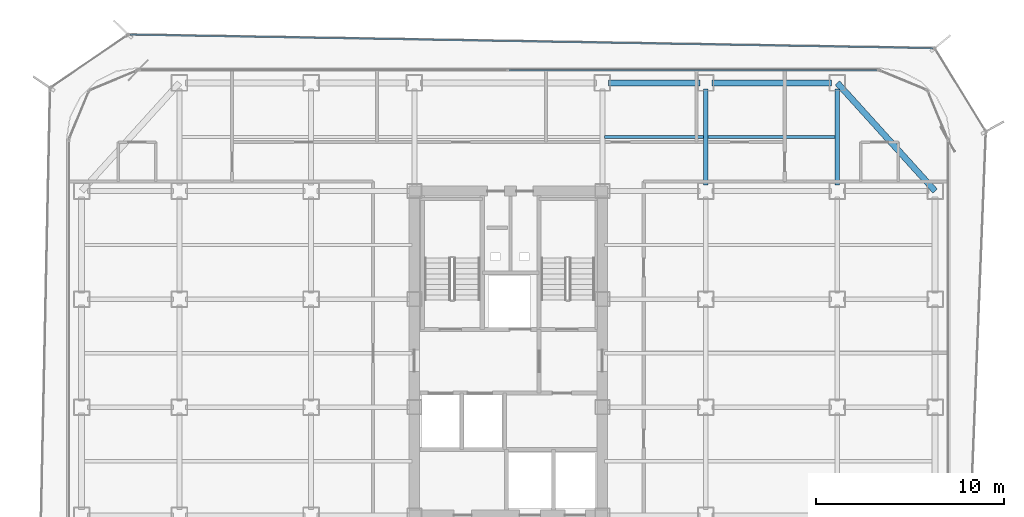
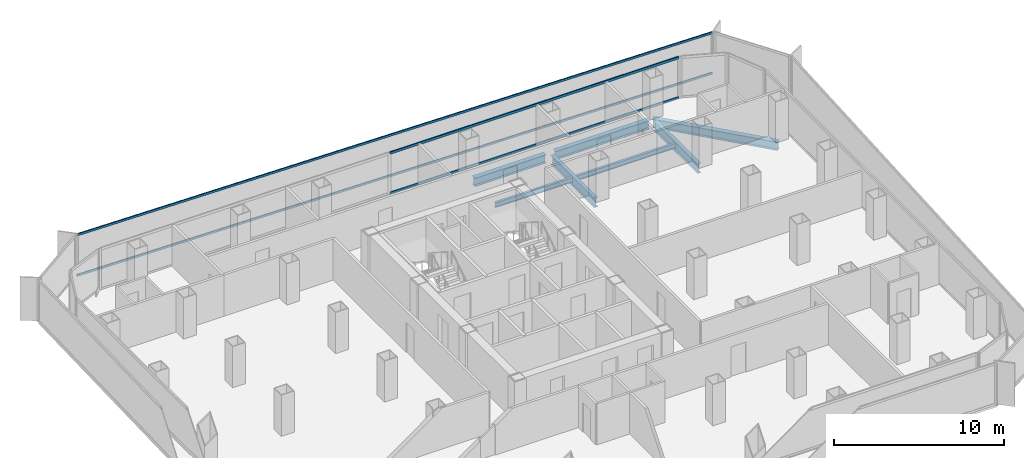
# One storey, part 13 of 21: 7 beams, 4 members, 2 elements without a shape of their own.
"""IFC4 building model written with IfcOpenShell, lengths in metres."""

from ifc_helpers import new_model, si_unit, direction, frame, origin, origin_2d, place, context, subcontext, project, spatial, hollow_rectangle, i_section, extrude, source, transform, mapped, material, layer, layer_set, material_profile, profile_set, type_object, element, aggregate, save


model = new_model("IFC4")

# Units and contexts
model_context = context("Model", 3, precision=1e-05, world=origin(), true_north=direction((0.0, 1.0)))
body_context = subcontext(model_context, "Body", "Model", "MODEL_VIEW")
ifc_project = project(units=[si_unit("LENGTHUNIT", "METRE"), si_unit("AREAUNIT", "SQUARE_METRE"), si_unit("VOLUMEUNIT", "CUBIC_METRE"), si_unit("PLANEANGLEUNIT", "RADIAN"), si_unit("MASSUNIT", "GRAM", prefix="KILO")], contexts=[model_context])

# Site, building, storey
site_placement = place(None, origin())
site = spatial("IfcSite", under=ifc_project, at=site_placement, CompositionType="ELEMENT")
building_placement = place(site_placement, origin())
building = spatial("IfcBuilding", under=site, at=building_placement, Name="Kolveth Station Tower", CompositionType="ELEMENT")
storey_placement = place(building_placement, frame((0.0, 0.0, 137.5)))
storey = spatial("IfcBuildingStorey", under=building, at=storey_placement, Name="L38", CompositionType="ELEMENT", Elevation=137.5)

# Beams
ifc_material_1 = material(Name="Steel S355", Category="steel")
ifc_material_profile_1 = material_profile(ifc_material_1, i_section(OverallWidth=0.323974609375, OverallDepth=0.611083984375, WebThickness=0.0126953125, FlangeThickness=0.01904296875, at=origin_2d()), Name="W610x155")
ifc_profile_set_1 = profile_set([ifc_material_profile_1], Name="Steel S355")
beam_type_1 = type_object("IfcBeamType", Name="Beam_SP2", PredefinedType="SPANDREL", material=ifc_profile_set_1)
shared_shape_1 = source(origin(), body_context, "Body", "SweptSolid", [
    extrude(i_section(OverallWidth=0.323974609375, OverallDepth=0.611083984375, WebThickness=0.0126953125, FlangeThickness=0.01904296875, at=origin_2d()), origin(), (0.0, 0.0, 1.0), 6.35986328125),
])
beam_1_placement = place(storey_placement, frame((34.320068359375, 34.5, -0.555419921875), z_axis=(1.0, 0.0, 0.0), x_axis=(0.0, 1.0, 0.0)))
element("IfcBeam", 1, at=beam_1_placement, inside=storey, type_object=beam_type_1, Name="L38 Perimeter Spandrel BM-L38-PN-5", PredefinedType="SPANDREL", context=body_context, shape_type="MappedRepresentation", body=[
    mapped(shared_shape_1, transform((0.0, 0.0, 0.0), x_axis=(1.0, 0.0, 0.0), y_axis=(0.0, 1.0, 0.0), z_axis=(0.0, 0.0, 1.0), scale=1.0)),
])
shared_shape_2 = source(origin(), body_context, "Body", "SweptSolid", [
    extrude(i_section(OverallWidth=0.323974609375, OverallDepth=0.611083984375, WebThickness=0.0126953125, FlangeThickness=0.01904296875, at=origin_2d()), origin(), (0.0, 0.0, 1.0), 4.85986328125),
])
beam_2_placement = place(storey_placement, frame((28.820068359375, 34.5, -0.555419921875), z_axis=(1.0, 0.0, 0.0), x_axis=(0.0, 1.0, 0.0)))
element("IfcBeam", 2, at=beam_2_placement, inside=storey, type_object=beam_type_1, Name="L38 Perimeter Spandrel BM-L38-PN-4", PredefinedType="SPANDREL", context=body_context, shape_type="MappedRepresentation", body=[
    mapped(shared_shape_2, transform((0.0, 0.0, 0.0), x_axis=(1.0, 0.0, 0.0), y_axis=(0.0, 1.0, 0.0), z_axis=(0.0, 0.0, 1.0), scale=1.0)),
])
shared_shape_3 = source(origin(), body_context, "Body", "SweptSolid", [
    extrude(i_section(OverallWidth=0.323974609375, OverallDepth=0.611083984375, WebThickness=0.0126953125, FlangeThickness=0.01904296875, at=origin_2d()), origin(), (0.0, 0.0, 1.0), 7.75244140625),
])
beam_3_placement = place(storey_placement, frame((46.199951171875, 28.75, -0.555419921875), z_axis=(-0.670740965555, 0.74169168603, 0.0), x_axis=(-0.74169168603, -0.670740965555, 0.0)))
element("IfcBeam", 3, at=beam_3_placement, inside=storey, type_object=beam_type_1, Name="L38 Corner Edge Girder BM-L38-CNR-NE", PredefinedType="SPANDREL", context=body_context, shape_type="MappedRepresentation", body=[
    mapped(shared_shape_3, transform((0.0, 0.0, 0.0), x_axis=(1.0, 0.0, 0.0), y_axis=(0.0, 1.0, 0.0), z_axis=(0.0, 0.0, 1.0), scale=1.0)),
])
ifc_material_profile_2 = material_profile(ifc_material_1, i_section(OverallWidth=0.25390625, OverallDepth=0.68798828125, WebThickness=0.01318359375, FlangeThickness=0.02099609375, at=origin_2d()), Name="W690x152")
ifc_profile_set_2 = profile_set([ifc_material_profile_2], Name="Steel S355")
beam_type_2 = type_object("IfcBeamType", Name="Beam_B4", PredefinedType="BEAM", material=ifc_profile_set_2)
shared_shape_4 = source(origin(), body_context, "Body", "SweptSolid", [
    extrude(i_section(OverallWidth=0.25390625, OverallDepth=0.68798828125, WebThickness=0.01318359375, FlangeThickness=0.02099609375, at=origin_2d()), origin(), (0.0, 0.0, 1.0), 5.10986328125),
])
for number, where, z_axis, x_axis, name in (
    (4, (34.0, 29.070068359375, -0.593994140625), (0.0, 1.0, 0.0), (-1.0, 0.0, 0.0), "L38 Primary Girder BM-L38-GX340-6"),
    (5, (41.0, 29.070068359375, -0.593994140625), (0.0, 1.0, 0.0), (-1.0, 0.0, 0.0), "L38 Primary Girder BM-L38-GX410-6"),
):
    element("IfcBeam", number, at=place(storey_placement, frame(where, z_axis=z_axis, x_axis=x_axis)), inside=storey, type_object=beam_type_2, Name=name, PredefinedType="BEAM", context=body_context, shape_type="MappedRepresentation", body=[
        mapped(shared_shape_4, transform((0.0, 0.0, 0.0), x_axis=(1.0, 0.0, 0.0), y_axis=(0.0, 1.0, 0.0), z_axis=(0.0, 0.0, 1.0), scale=1.0)),
    ])
ifc_material_profile_3 = material_profile(ifc_material_1, i_section(OverallWidth=0.1708984375, OverallDepth=0.35205078125, WebThickness=0.0068359375, FlangeThickness=0.009765625, at=origin_2d()), Name="W360x44")
ifc_profile_set_3 = profile_set([ifc_material_profile_3], Name="Steel S355")
beam_type_3 = type_object("IfcBeamType", Name="Beam_J2", PredefinedType="JOIST", material=ifc_profile_set_3)
shared_shape_5 = source(origin(), body_context, "Body", "SweptSolid", [
    extrude(i_section(OverallWidth=0.1708984375, OverallDepth=0.35205078125, WebThickness=0.0068359375, FlangeThickness=0.009765625, at=origin_2d()), origin(), (0.0, 0.0, 1.0), 6.75),
])
beam_4_placement = place(storey_placement, frame((34.125, 31.625, -0.426025390625), z_axis=(1.0, 0.0, 0.0), x_axis=(0.0, 1.0, 0.0)))
element("IfcBeam", 6, at=beam_4_placement, inside=storey, type_object=beam_type_3, Name="L38 Secondary Joist JST-L38-6-6", PredefinedType="JOIST", context=body_context, shape_type="MappedRepresentation", body=[
    mapped(shared_shape_5, transform((0.0, 0.0, 0.0), x_axis=(1.0, 0.0, 0.0), y_axis=(0.0, 1.0, 0.0), z_axis=(0.0, 0.0, 1.0), scale=1.0)),
])
shared_shape_6 = source(origin(), body_context, "Body", "SweptSolid", [
    extrude(i_section(OverallWidth=0.1708984375, OverallDepth=0.35205078125, WebThickness=0.0068359375, FlangeThickness=0.009765625, at=origin_2d()), origin(), (0.0, 0.0, 1.0), 5.25),
])
beam_5_placement = place(storey_placement, frame((28.625, 31.625, -0.426025390625), z_axis=(1.0, 0.0, 0.0), x_axis=(0.0, 1.0, 0.0)))
element("IfcBeam", 7, at=beam_5_placement, inside=storey, type_object=beam_type_3, Name="L38 Secondary Joist JST-L38-5-6", PredefinedType="JOIST", context=body_context, shape_type="MappedRepresentation", body=[
    mapped(shared_shape_6, transform((0.0, 0.0, 0.0), x_axis=(1.0, 0.0, 0.0), y_axis=(0.0, 1.0, 0.0), z_axis=(0.0, 0.0, 1.0), scale=1.0)),
])

# Curtain wall, members
ifc_material_2 = material(Name="Aluminium 6063-T6 and low-E dark glass", Category="aluminium")
ifc_layer_1 = layer(ifc_material_2, 0.18994140625)
ifc_layer_set_1 = layer_set([ifc_layer_1], Name="Aluminium 6063-T6 and low-E dark glass")
curtain_wall_type_1 = type_object("IfcCurtainWallType", Name="CurtainWall_CW-Z2", PredefinedType="NOTDEFINED", material=ifc_layer_set_1)
curtain_wall_1_placement = place(storey_placement, origin())
curtain_wall_1 = element("IfcCurtainWall", 8, at=curtain_wall_1_placement, inside=storey, type_object=curtain_wall_type_1, Name="L38 Inner Thermal Curtain Wall 6", PredefinedType="NOTDEFINED")
ifc_material_3 = material(Name="Black anodized aluminium 6063-T6", Category="aluminium")
ifc_material_profile_4 = material_profile(ifc_material_3, hollow_rectangle(XDim=0.080078125, YDim=0.169921875, WallThickness=0.0048828125, at=origin_2d()), Name="ALU-80x170x5")
ifc_profile_set_4 = profile_set([ifc_material_profile_4], Name="Black anodized aluminium 6063-T6")
member_type_1 = type_object("IfcMemberType", Name="Transom_TR2", PredefinedType="USERDEFINED", material=ifc_profile_set_4)
shared_shape_7 = source(origin(), body_context, "Body", "SweptSolid", [
    extrude(hollow_rectangle(XDim=0.080078125, YDim=0.169921875, WallThickness=0.0048828125, at=origin_2d()), origin(), (0.0, 0.0, 1.0), 19.580078125),
])
member_1_placement = place(storey_placement, frame((43.1201171875, 35.179931640625, 0.0400390625), z_axis=(-1.0, 0.0, 0.0), x_axis=(0.0, -1.0, 0.0)))
member_1 = element("IfcMember", 9, at=member_1_placement, type_object=member_type_1, Name="CW-Z2 transom 1.1", ObjectType="TRANSOM", PredefinedType="USERDEFINED", context=body_context, shape_type="MappedRepresentation", body=[
    mapped(shared_shape_7, transform((0.0, 0.0, 0.0), x_axis=(1.0, 0.0, 0.0), y_axis=(0.0, 1.0, 0.0), z_axis=(0.0, 0.0, 1.0), scale=1.0)),
])
member_2_placement = place(storey_placement, frame((43.1201171875, 35.179931640625, 2.909912109375), z_axis=(-1.0, 0.0, 0.0), x_axis=(0.0, -1.0, 0.0)))
member_2 = element("IfcMember", 10, at=member_2_placement, type_object=member_type_1, Name="CW-Z2 transom 1.2", ObjectType="TRANSOM", PredefinedType="USERDEFINED", context=body_context, shape_type="MappedRepresentation", body=[
    mapped(shared_shape_7, transform((0.0, 0.0, 0.0), x_axis=(1.0, 0.0, 0.0), y_axis=(0.0, 1.0, 0.0), z_axis=(0.0, 0.0, 1.0), scale=1.0)),
])
aggregate(curtain_wall_1, [member_1, member_2])

ifc_material_4 = material(Name="Black anodized aluminium 6063-T6 and dark solar glass", Category="aluminium")
ifc_layer_2 = layer(ifc_material_4, 0.159912109375)
ifc_layer_set_2 = layer_set([ifc_layer_2], Name="Black anodized aluminium 6063-T6 and dark solar glass")
curtain_wall_type_2 = type_object("IfcCurtainWallType", Name="OUTER SKIN CW-OS", PredefinedType="NOTDEFINED", material=ifc_layer_set_2)
curtain_wall_2_placement = place(storey_placement, origin())
curtain_wall_2 = element("IfcCurtainWall", 11, at=curtain_wall_2_placement, inside=storey, type_object=curtain_wall_type_2, Name="L38 Outer Ventilated Skin Curtain Wall 4", PredefinedType="NOTDEFINED")
ifc_material_profile_5 = material_profile(ifc_material_3, hollow_rectangle(XDim=0.080078125, YDim=0.14990234375, WallThickness=0.0048828125, at=origin_2d()), Name="ALU-80x150x5")
ifc_profile_set_5 = profile_set([ifc_material_profile_5], Name="Black anodized aluminium 6063-T6")
member_type_2 = type_object("IfcMemberType", Name="Transom_TR-OS", PredefinedType="USERDEFINED", material=ifc_profile_set_5)
shared_shape_8 = source(origin(), body_context, "Body", "SweptSolid", [
    extrude(hollow_rectangle(XDim=0.080078125, YDim=0.14990234375, WallThickness=0.0048828125, at=origin_2d()), origin(), (0.0, 0.0, 1.0), 42.724609375),
])
member_3_placement = place(storey_placement, frame((46.091796875, 36.351318359375, 0.0400390625), z_axis=(-0.999858293046, 0.01683430508, 0.0), x_axis=(-0.01683430508, -0.999858293046, 0.0)))
member_3 = element("IfcMember", 12, at=member_3_placement, type_object=member_type_2, Name="CW-OS transom 1.1", ObjectType="TRANSOM", PredefinedType="USERDEFINED", context=body_context, shape_type="MappedRepresentation", body=[
    mapped(shared_shape_8, transform((0.0, 0.0, 0.0), x_axis=(1.0, 0.0, 0.0), y_axis=(0.0, 1.0, 0.0), z_axis=(0.0, 0.0, 1.0), scale=1.0)),
])
member_4_placement = place(storey_placement, frame((46.091796875, 36.351318359375, 2.949951171875), z_axis=(-0.999858293046, 0.01683430508, 0.0), x_axis=(-0.01683430508, -0.999858293046, 0.0)))
member_4 = element("IfcMember", 13, at=member_4_placement, type_object=member_type_2, Name="CW-OS transom 1.2", ObjectType="TRANSOM", PredefinedType="USERDEFINED", context=body_context, shape_type="MappedRepresentation", body=[
    mapped(shared_shape_8, transform((0.0, 0.0, 0.0), x_axis=(1.0, 0.0, 0.0), y_axis=(0.0, 1.0, 0.0), z_axis=(0.0, 0.0, 1.0), scale=1.0)),
])
aggregate(curtain_wall_2, [member_3, member_4])

save(model, "model.ifc")
